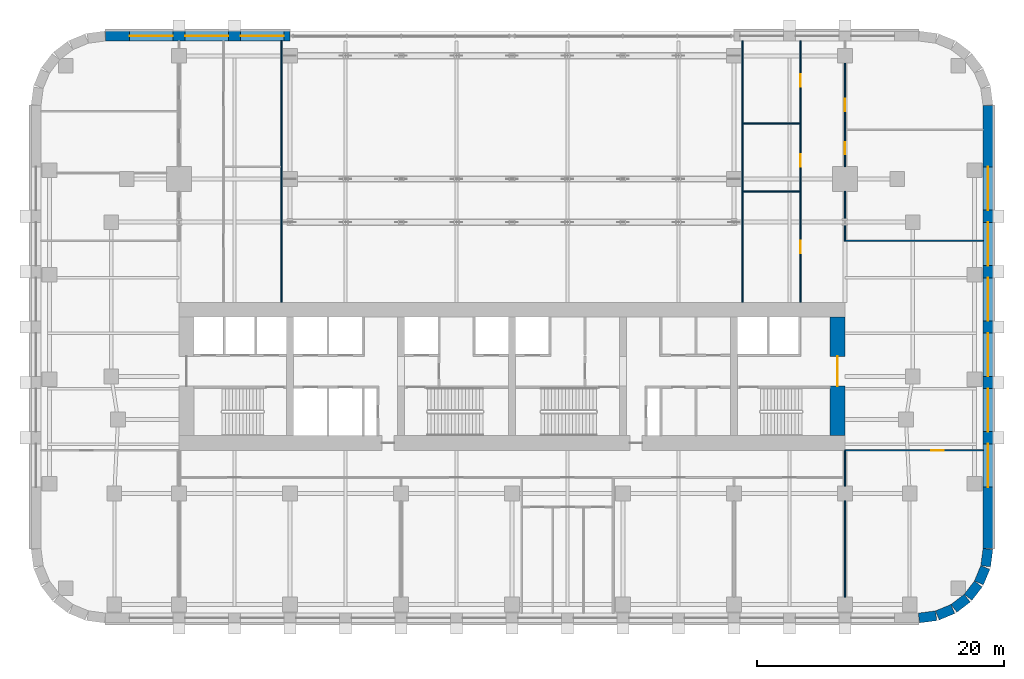
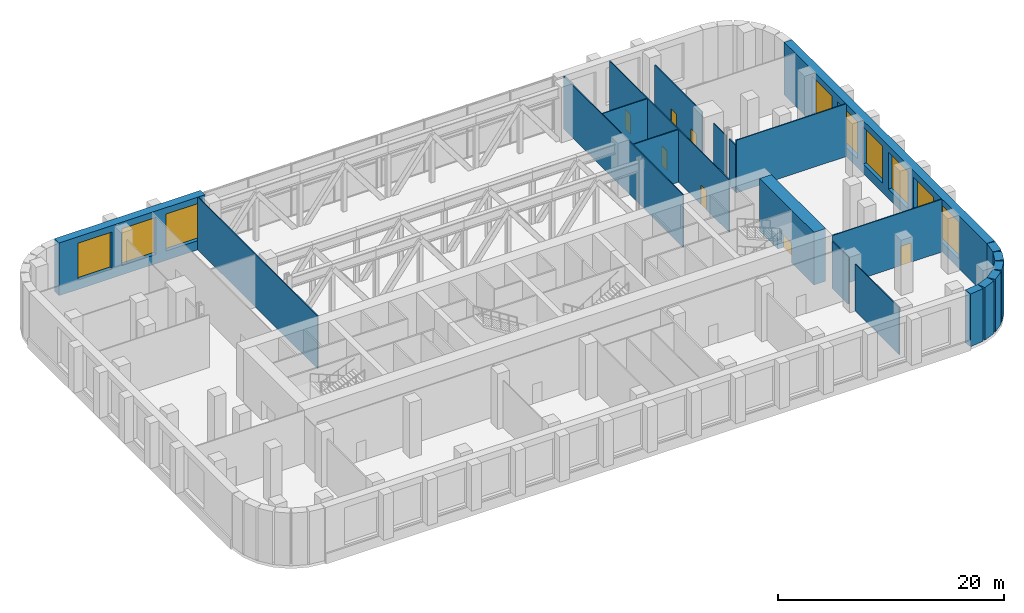
# One storey, part 8 of 13: 21 walls, 9 windows, 7 doors, 16 openings.
"""IFC4 building model written with IfcOpenShell, lengths in metres."""

from ifc_helpers import new_model, si_unit, direction, frame, frame_2d, origin, place, context, subcontext, project, spatial, rectangle, extrude, material, layer, layer_set, type_object, element, fill, save


model = new_model("IFC4")

# Units and contexts
model_context = context("Model", 3, precision=1e-05, world=origin(), true_north=direction((0.0, 1.0)))
body_context = subcontext(model_context, "Body", "Model", "MODEL_VIEW")
ifc_project = project(units=[si_unit("LENGTHUNIT", "METRE"), si_unit("AREAUNIT", "SQUARE_METRE"), si_unit("VOLUMEUNIT", "CUBIC_METRE"), si_unit("PLANEANGLEUNIT", "RADIAN"), si_unit("MASSUNIT", "GRAM", prefix="KILO")], contexts=[model_context])

# Site, building, storey
site_placement = place(None, origin())
site = spatial("IfcSite", under=ifc_project, at=site_placement, CompositionType="ELEMENT")
building_placement = place(site_placement, origin())
building = spatial("IfcBuilding", under=site, at=building_placement, Name="Zellij Exchange Tower", CompositionType="ELEMENT")
storey_placement = place(building_placement, frame((0.0, 0.0, 27.0)))
storey = spatial("IfcBuildingStorey", under=building, at=storey_placement, Name="L04", CompositionType="ELEMENT", Elevation=27.0)

# Wall, opening, door
ifc_material_1 = material(Name="Concrete C70/85", Category="concrete")
ifc_layer_1 = layer(ifc_material_1, 1.199951171875)
ifc_layer_set_1 = layer_set([ifc_layer_1], Name="Concrete C70/85")
wall_type_1 = type_object("IfcWallType", Name="CORE-SW 1200 C70/85", PredefinedType="SHEAR", material=ifc_layer_set_1)
wall_1_placement = place(storey_placement, frame((26.39990234375, -12.800048828125, 0.0), z_axis=(0.0, 0.0, 1.0), x_axis=(0.0, 1.0, 0.0)))
wall_1 = element("IfcWall", 1, at=wall_1_placement, inside=storey, type_object=wall_type_1, Name="Core shear wall end e L04", PredefinedType="SHEAR", context=body_context, shape_type="SweptSolid", body=[
    extrude(rectangle(XDim=9.60009765625, YDim=1.199951171875, at=frame_2d((4.800048828125, 0.0))), origin(), (0.0, 0.0, 1.0), 5.699951171875),
])
opening_1_placement = place(wall_1_placement, frame((4.011962890625, 0.0, 0.0)))
opening_1 = element("IfcOpeningElement", 2, at=opening_1_placement, cuts=wall_1, Name="Opening CA-05.26", PredefinedType="OPENING", context=body_context, shape_type="SweptSolid", body=[
    extrude(rectangle(XDim=2.39990234375, YDim=2.10009765625, at=frame_2d((1.199951171875, 1.050048828125))), frame((0.0, 0.61181640625, 0.0), z_axis=(0.0, -1.0, 0.0), x_axis=(1.0, 0.0, 0.0)), (0.0, 0.0, 1.0), 1.223876953125),
])
ifc_material_2 = material(Name="Hollow metal fire door")
door_type_1 = type_object("IfcDoorType", Name="CORE-D CE Core entrance door 2400x2100 20 MIN", OperationType="NOTDEFINED", PredefinedType="DOOR", material=ifc_material_2)
door_1_placement = place(opening_1_placement, origin())
door_1 = element("IfcDoor", 3, at=door_1_placement, inside=storey, type_object=door_type_1, Name="Core entrance door CA-05.26", OperationType="DOUBLE_DOOR_SINGLE_SWING", OverallHeight=2.10009765625, OverallWidth=2.39990234375, PredefinedType="DOOR", context=body_context, shape_type="SweptSolid", body=[
    extrude(rectangle(XDim=2.39990234375, YDim=2.10009765625, at=frame_2d((1.199951171875, 1.050048828125))), frame((0.0, 0.02490234375, 0.0), z_axis=(0.0, -1.0, 0.0), x_axis=(1.0, 0.0, 0.0)), (0.0, 0.0, 1.0), 0.050048828125),
])
fill(opening_1, door_1)

# Walls
ifc_material_3 = material(Name="Precast concrete C40/50", Category="concrete")
ifc_layer_2 = layer(ifc_material_3, 0.800048828125)
ifc_layer_set_2 = layer_set([ifc_layer_2], Name="Precast concrete C40/50")
wall_type_2 = type_object("IfcWallType", Name="ENV-EW1 Precast stone-piered wall 800", PredefinedType="SOLIDWALL", material=ifc_layer_set_2)
wall_2_placement = place(storey_placement, frame((32.999755859375, -27.5966796875, 0.0), z_axis=(0.0, 0.0, 1.0), x_axis=(0.99144603414, 0.130517283865, 0.0)))
element("IfcWall", 4, at=wall_2_placement, inside=storey, type_object=wall_type_2, Name="fac.L04.01", PredefinedType="SOLIDWALL", context=body_context, shape_type="SweptSolid", body=[
    extrude(rectangle(XDim=1.408447265625, YDim=0.800048828125, at=frame_2d((0.7041015625, 0.0))), origin(), (0.0, 0.0, 1.0), 5.699951171875),
])
wall_3_placement = place(storey_placement, frame((34.497314453125, -27.3857421875, 0.0), z_axis=(0.0, 0.0, 1.0), x_axis=(0.923847774587, 0.38276009378, 0.0)))
element("IfcWall", 5, at=wall_3_placement, inside=storey, type_object=wall_type_2, Name="fac.L04.02", PredefinedType="SOLIDWALL", context=body_context, shape_type="SweptSolid", body=[
    extrude(rectangle(XDim=1.35546875, YDim=0.800048828125, at=frame_2d((0.677734375, 0.0))), origin(), (0.0, 0.0, 1.0), 5.699951171875),
])
for number, where, z_axis, x_axis, name in (
    (6, (35.840087890625, -26.814697265625, 0.0), (0.0, 0.0, 1.0), (0.793272915452, 0.608866226366, 0.0), "fac.L04.03"),
    (7, (36.9892578125, -25.91552734375, 0.0), (0.0, 0.0, 1.0), (0.608866226366, 0.793272915452, 0.0), "fac.L04.04"),
):
    element("IfcWall", number, at=place(storey_placement, frame(where, z_axis=z_axis, x_axis=x_axis)), inside=storey, type_object=wall_type_2, Name=name, PredefinedType="SOLIDWALL", context=body_context, shape_type="SweptSolid", body=[
        extrude(rectangle(XDim=1.355712890625, YDim=0.800048828125, at=frame_2d((0.677734375, 0.0))), origin(), (0.0, 0.0, 1.0), 5.699951171875),
    ])
wall_4_placement = place(storey_placement, frame((37.866943359375, -24.74951171875, 0.0), z_axis=(0.0, 0.0, 1.0), x_axis=(0.38276009378, 0.923847774587, 0.0)))
element("IfcWall", 8, at=wall_4_placement, inside=storey, type_object=wall_type_2, Name="fac.L04.05", PredefinedType="SOLIDWALL", context=body_context, shape_type="SweptSolid", body=[
    extrude(rectangle(XDim=1.35546875, YDim=0.800048828125, at=frame_2d((0.677734375, 0.0))), origin(), (0.0, 0.0, 1.0), 5.699951171875),
])
wall_5_placement = place(storey_placement, frame((38.412841796875, -23.396240234375, 0.0), z_axis=(0.0, 0.0, 1.0), x_axis=(0.130517283865, 0.99144603414, 0.0)))
element("IfcWall", 9, at=wall_5_placement, inside=storey, type_object=wall_type_2, Name="fac.L04.06", PredefinedType="SOLIDWALL", context=body_context, shape_type="SweptSolid", body=[
    extrude(rectangle(XDim=1.408447265625, YDim=0.800048828125, at=frame_2d((0.7041015625, 0.0))), origin(), (0.0, 0.0, 1.0), 5.699951171875),
])

# Wall, openings, windows
wall_6_placement = place(storey_placement, frame((38.60009765625, -21.947509765625, 0.0), z_axis=(0.0, 0.0, 1.0), x_axis=(0.0, 1.0, 0.0)))
wall_6 = element("IfcWall", 10, at=wall_6_placement, inside=storey, type_object=wall_type_2, Name="fac.L04.07", PredefinedType="SOLIDWALL", context=body_context, shape_type="SweptSolid", body=[
    extrude(rectangle(XDim=35.89501953125, YDim=0.800048828125, at=frame_2d((17.947509765625, 0.0))), origin(), (0.0, 0.0, 1.0), 5.699951171875),
])
opening_2_placement = place(wall_6_placement, frame((4.9638671875, 0.0, 1.0)))
opening_2 = element("IfcOpeningElement", 11, at=opening_2_placement, cuts=wall_6, Name="Opening FP.15", PredefinedType="OPENING", context=body_context, shape_type="SweptSolid", body=[
    extrude(rectangle(XDim=3.5, YDim=4.0, at=frame_2d((1.75, 2.0))), frame((0.0, 0.412109375, 0.0), z_axis=(0.0, -1.0, 0.0), x_axis=(1.0, 0.0, 0.0)), (0.0, 0.0, 1.0), 0.823974609375),
])
opening_3_placement = place(wall_6_placement, frame((9.45751953125, 0.0, 1.0)))
opening_3 = element("IfcOpeningElement", 12, at=opening_3_placement, cuts=wall_6, Name="Opening FP.16", PredefinedType="OPENING", context=body_context, shape_type="SweptSolid", body=[
    extrude(rectangle(XDim=3.5, YDim=4.0, at=frame_2d((1.75, 2.0))), frame((0.0, 0.412109375, 0.0), z_axis=(0.0, -1.0, 0.0), x_axis=(1.0, 0.0, 0.0)), (0.0, 0.0, 1.0), 0.823974609375),
])
opening_4_placement = place(wall_6_placement, frame((13.950927734375, 0.0, 1.0)))
opening_4 = element("IfcOpeningElement", 13, at=opening_4_placement, cuts=wall_6, Name="Opening FP.17", PredefinedType="OPENING", context=body_context, shape_type="SweptSolid", body=[
    extrude(rectangle(XDim=3.5, YDim=4.0, at=frame_2d((1.75, 2.0))), frame((0.0, 0.412109375, 0.0), z_axis=(0.0, -1.0, 0.0), x_axis=(1.0, 0.0, 0.0)), (0.0, 0.0, 1.0), 0.823974609375),
])
opening_5_placement = place(wall_6_placement, frame((18.4443359375, 0.0, 1.0)))
opening_5 = element("IfcOpeningElement", 14, at=opening_5_placement, cuts=wall_6, Name="Opening FP.18", PredefinedType="OPENING", context=body_context, shape_type="SweptSolid", body=[
    extrude(rectangle(XDim=3.5, YDim=4.0, at=frame_2d((1.75, 2.0))), frame((0.0, 0.412109375, 0.0), z_axis=(0.0, -1.0, 0.0), x_axis=(1.0, 0.0, 0.0)), (0.0, 0.0, 1.0), 0.823974609375),
])
opening_6_placement = place(wall_6_placement, frame((22.937744140625, 0.0, 1.0)))
opening_6 = element("IfcOpeningElement", 15, at=opening_6_placement, cuts=wall_6, Name="Opening FP.19", PredefinedType="OPENING", context=body_context, shape_type="SweptSolid", body=[
    extrude(rectangle(XDim=3.5, YDim=4.0, at=frame_2d((1.75, 2.0))), frame((0.0, 0.412109375, 0.0), z_axis=(0.0, -1.0, 0.0), x_axis=(1.0, 0.0, 0.0)), (0.0, 0.0, 1.0), 0.823974609375),
])
opening_7_placement = place(wall_6_placement, frame((27.43115234375, 0.0, 1.0)))
opening_7 = element("IfcOpeningElement", 16, at=opening_7_placement, cuts=wall_6, Name="Opening FP.20", PredefinedType="OPENING", context=body_context, shape_type="SweptSolid", body=[
    extrude(rectangle(XDim=3.5, YDim=4.0, at=frame_2d((1.75, 2.0))), frame((0.0, 0.412109375, 0.0), z_axis=(0.0, -1.0, 0.0), x_axis=(1.0, 0.0, 0.0)), (0.0, 0.0, 1.0), 0.823974609375),
])
ifc_material_4 = material(Name="Aluminium frame with insulating glass", Category="aluminium")
window_type = type_object("IfcWindowType", Name="ENV-W2 Window 3500x4000", PartitioningType="SINGLE_PANEL", PredefinedType="WINDOW", material=ifc_material_4)
window_1_placement = place(opening_2_placement, origin())
window_1 = element("IfcWindow", 17, at=window_1_placement, inside=storey, type_object=window_type, Name="Window FP.15", OverallHeight=4.0, OverallWidth=3.5, PartitioningType="SINGLE_PANEL", PredefinedType="WINDOW", context=body_context, shape_type="SweptSolid", body=[
    extrude(rectangle(XDim=3.5, YDim=4.0, at=frame_2d((1.75, 2.0))), frame((0.0, 0.030029296875, 0.0), z_axis=(0.0, -1.0, 0.0), x_axis=(1.0, 0.0, 0.0)), (0.0, 0.0, 1.0), 0.06005859375),
])
fill(opening_2, window_1)
window_2_placement = place(opening_3_placement, origin())
window_2 = element("IfcWindow", 18, at=window_2_placement, inside=storey, type_object=window_type, Name="Window FP.16", OverallHeight=4.0, OverallWidth=3.5, PartitioningType="SINGLE_PANEL", PredefinedType="WINDOW", context=body_context, shape_type="SweptSolid", body=[
    extrude(rectangle(XDim=3.5, YDim=4.0, at=frame_2d((1.75, 2.0))), frame((0.0, 0.030029296875, 0.0), z_axis=(0.0, -1.0, 0.0), x_axis=(1.0, 0.0, 0.0)), (0.0, 0.0, 1.0), 0.06005859375),
])
fill(opening_3, window_2)
window_3_placement = place(opening_4_placement, origin())
window_3 = element("IfcWindow", 19, at=window_3_placement, inside=storey, type_object=window_type, Name="Window FP.17", OverallHeight=4.0, OverallWidth=3.5, PartitioningType="SINGLE_PANEL", PredefinedType="WINDOW", context=body_context, shape_type="SweptSolid", body=[
    extrude(rectangle(XDim=3.5, YDim=4.0, at=frame_2d((1.75, 2.0))), frame((0.0, 0.030029296875, 0.0), z_axis=(0.0, -1.0, 0.0), x_axis=(1.0, 0.0, 0.0)), (0.0, 0.0, 1.0), 0.06005859375),
])
fill(opening_4, window_3)
window_4_placement = place(opening_5_placement, origin())
window_4 = element("IfcWindow", 20, at=window_4_placement, inside=storey, type_object=window_type, Name="Window FP.18", OverallHeight=4.0, OverallWidth=3.5, PartitioningType="SINGLE_PANEL", PredefinedType="WINDOW", context=body_context, shape_type="SweptSolid", body=[
    extrude(rectangle(XDim=3.5, YDim=4.0, at=frame_2d((1.75, 2.0))), frame((0.0, 0.030029296875, 0.0), z_axis=(0.0, -1.0, 0.0), x_axis=(1.0, 0.0, 0.0)), (0.0, 0.0, 1.0), 0.06005859375),
])
fill(opening_5, window_4)
window_5_placement = place(opening_6_placement, origin())
window_5 = element("IfcWindow", 21, at=window_5_placement, inside=storey, type_object=window_type, Name="Window FP.19", OverallHeight=4.0, OverallWidth=3.5, PartitioningType="SINGLE_PANEL", PredefinedType="WINDOW", context=body_context, shape_type="SweptSolid", body=[
    extrude(rectangle(XDim=3.5, YDim=4.0, at=frame_2d((1.75, 2.0))), frame((0.0, 0.030029296875, 0.0), z_axis=(0.0, -1.0, 0.0), x_axis=(1.0, 0.0, 0.0)), (0.0, 0.0, 1.0), 0.06005859375),
])
fill(opening_6, window_5)
window_6_placement = place(opening_7_placement, origin())
window_6 = element("IfcWindow", 22, at=window_6_placement, inside=storey, type_object=window_type, Name="Window FP.20", OverallHeight=4.0, OverallWidth=3.5, PartitioningType="SINGLE_PANEL", PredefinedType="WINDOW", context=body_context, shape_type="SweptSolid", body=[
    extrude(rectangle(XDim=3.5, YDim=4.0, at=frame_2d((1.75, 2.0))), frame((0.0, 0.030029296875, 0.0), z_axis=(0.0, -1.0, 0.0), x_axis=(1.0, 0.0, 0.0)), (0.0, 0.0, 1.0), 0.06005859375),
])
fill(opening_7, window_6)

wall_7_placement = place(storey_placement, frame((-18.0, 19.60009765625, 0.0), z_axis=(0.0, 0.0, 1.0), x_axis=(-1.0, 0.0, 0.0)))
wall_7 = element("IfcWall", 23, at=wall_7_placement, inside=storey, type_object=wall_type_2, Name="fac.L04.14d", PredefinedType="SOLIDWALL", context=body_context, shape_type="SweptSolid", body=[
    extrude(rectangle(XDim=14.947509765625, YDim=0.800048828125, at=frame_2d((7.4736328125, 0.0))), origin(), (0.0, 0.0, 1.0), 5.699951171875),
])
opening_8_placement = place(wall_7_placement, frame((0.5, 0.0, 1.0)))
opening_8 = element("IfcOpeningElement", 24, at=opening_8_placement, cuts=wall_7, Name="Opening FP.21", PredefinedType="OPENING", context=body_context, shape_type="SweptSolid", body=[
    extrude(rectangle(XDim=3.5, YDim=4.0, at=frame_2d((1.75, 2.0))), frame((0.0, 0.412109375, 0.0), z_axis=(0.0, -1.0, 0.0), x_axis=(1.0, 0.0, 0.0)), (0.0, 0.0, 1.0), 0.823974609375),
])
opening_9_placement = place(wall_7_placement, frame((5.0, 0.0, 1.0)))
opening_9 = element("IfcOpeningElement", 25, at=opening_9_placement, cuts=wall_7, Name="Opening FP.23", PredefinedType="OPENING", context=body_context, shape_type="SweptSolid", body=[
    extrude(rectangle(XDim=3.5, YDim=4.0, at=frame_2d((1.75, 2.0))), frame((0.0, 0.412109375, 0.0), z_axis=(0.0, -1.0, 0.0), x_axis=(1.0, 0.0, 0.0)), (0.0, 0.0, 1.0), 0.823974609375),
])
opening_10_placement = place(wall_7_placement, frame((9.5, 0.0, 1.0)))
opening_10 = element("IfcOpeningElement", 26, at=opening_10_placement, cuts=wall_7, Name="Opening FP.25", PredefinedType="OPENING", context=body_context, shape_type="SweptSolid", body=[
    extrude(rectangle(XDim=3.5, YDim=4.0, at=frame_2d((1.75, 2.0))), frame((0.0, 0.412109375, 0.0), z_axis=(0.0, -1.0, 0.0), x_axis=(1.0, 0.0, 0.0)), (0.0, 0.0, 1.0), 0.823974609375),
])
window_7_placement = place(opening_8_placement, origin())
window_7 = element("IfcWindow", 27, at=window_7_placement, inside=storey, type_object=window_type, Name="Window FP.21", OverallHeight=4.0, OverallWidth=3.5, PartitioningType="SINGLE_PANEL", PredefinedType="WINDOW", context=body_context, shape_type="SweptSolid", body=[
    extrude(rectangle(XDim=3.5, YDim=4.0, at=frame_2d((1.75, 2.0))), frame((0.0, 0.030029296875, 0.0), z_axis=(0.0, -1.0, 0.0), x_axis=(1.0, 0.0, 0.0)), (0.0, 0.0, 1.0), 0.06005859375),
])
fill(opening_8, window_7)
window_8_placement = place(opening_9_placement, origin())
window_8 = element("IfcWindow", 28, at=window_8_placement, inside=storey, type_object=window_type, Name="Window FP.23", OverallHeight=4.0, OverallWidth=3.5, PartitioningType="SINGLE_PANEL", PredefinedType="WINDOW", context=body_context, shape_type="SweptSolid", body=[
    extrude(rectangle(XDim=3.5, YDim=4.0, at=frame_2d((1.75, 2.0))), frame((0.0, 0.030029296875, 0.0), z_axis=(0.0, -1.0, 0.0), x_axis=(1.0, 0.0, 0.0)), (0.0, 0.0, 1.0), 0.06005859375),
])
fill(opening_9, window_8)
window_9_placement = place(opening_10_placement, origin())
window_9 = element("IfcWindow", 29, at=window_9_placement, inside=storey, type_object=window_type, Name="Window FP.25", OverallHeight=4.0, OverallWidth=3.5, PartitioningType="SINGLE_PANEL", PredefinedType="WINDOW", context=body_context, shape_type="SweptSolid", body=[
    extrude(rectangle(XDim=3.5, YDim=4.0, at=frame_2d((1.75, 2.0))), frame((0.0, 0.030029296875, 0.0), z_axis=(0.0, -1.0, 0.0), x_axis=(1.0, 0.0, 0.0)), (0.0, 0.0, 1.0), 0.06005859375),
])
fill(opening_10, window_9)

# Walls
ifc_material_5 = material(Name="Gypsum board partition on steel studs", Category="steel")
ifc_layer_3 = layer(ifc_material_5, 0.10009765625)
ifc_layer_set_3 = layer_set([ifc_layer_3], Name="Gypsum board partition on steel studs")
wall_type_3 = type_object("IfcWallType", Name="FIT-PARTITION-100", PredefinedType="PARTITIONING", material=ifc_layer_set_3)
wall_8_placement = place(storey_placement, frame((27.0, -25.89990234375, 0.0), z_axis=(0.0, 0.0, 1.0), x_axis=(0.0, 1.0, 0.0)))
element("IfcWall", 30, at=wall_8_placement, inside=storey, type_object=wall_type_3, Name="FIT-PARTITION-100 011", PredefinedType="PARTITIONING", context=body_context, shape_type="SweptSolid", body=[
    extrude(rectangle(XDim=7.7998046875, YDim=0.10009765625, at=frame_2d((3.89990234375, 0.0))), origin(), (0.0, 0.0, 1.0), 5.087890625),
])
wall_9_placement = place(storey_placement, frame((27.0, -16.89990234375, 0.0), z_axis=(0.0, 0.0, 1.0), x_axis=(0.0, 1.0, 0.0)))
element("IfcWall", 31, at=wall_9_placement, inside=storey, type_object=wall_type_3, Name="FIT-PARTITION-100 012", PredefinedType="PARTITIONING", context=body_context, shape_type="SweptSolid", body=[
    extrude(rectangle(XDim=2.849853515625, YDim=0.10009765625, at=frame_2d((1.4248046875, 0.0))), origin(), (0.0, 0.0, 1.0), 5.087890625),
])

# Wall, opening, door
wall_10_placement = place(storey_placement, frame((27.0, -14.0, 0.0), z_axis=(0.0, 0.0, 1.0), x_axis=(1.0, 0.0, 0.0)))
wall_10 = element("IfcWall", 32, at=wall_10_placement, inside=storey, type_object=wall_type_3, Name="FIT-PARTITION-100 018", PredefinedType="PARTITIONING", context=body_context, shape_type="SweptSolid", body=[
    extrude(rectangle(XDim=11.199951171875, YDim=0.10009765625, at=frame_2d((5.60009765625, 0.0))), origin(), (0.0, 0.0, 1.0), 5.699951171875),
])
opening_11_placement = place(wall_10_placement, frame((7.0, 0.0, 0.0)))
opening_11 = element("IfcOpeningElement", 33, at=opening_11_placement, cuts=wall_10, Name="Opening P4.10", PredefinedType="OPENING", context=body_context, shape_type="SweptSolid", body=[
    extrude(rectangle(XDim=1.0, YDim=2.10009765625, at=frame_2d((0.5, 1.050048828125))), frame((0.0, 0.06201171875, 0.0), z_axis=(0.0, -1.0, 0.0), x_axis=(1.0, 0.0, 0.0)), (0.0, 0.0, 1.0), 0.1240234375),
])
ifc_material_6 = material(Name="Timber door set", Category="wood")
door_type_2 = type_object("IfcDoorType", Name="FIT-D2-WIDE-1000X2100", OperationType="SINGLE_SWING_LEFT", PredefinedType="DOOR", material=ifc_material_6)
door_2_placement = place(opening_11_placement, origin())
door_2 = element("IfcDoor", 34, at=door_2_placement, inside=storey, type_object=door_type_2, Name="Door P4.10", OperationType="SINGLE_SWING_LEFT", OverallHeight=2.10009765625, OverallWidth=1.0, PredefinedType="DOOR", context=body_context, shape_type="SweptSolid", body=[
    extrude(rectangle(XDim=1.0, YDim=2.10009765625, at=frame_2d((0.5, 1.050048828125))), frame((0.0, 0.02490234375, 0.0), z_axis=(0.0, -1.0, 0.0), x_axis=(1.0, 0.0, 0.0)), (0.0, 0.0, 1.0), 0.050048828125),
])
fill(opening_11, door_2)

# Walls
for number, where, z_axis, x_axis, name in (
    (35, (-18.699951171875, -2.0, 0.0), (0.0, 0.0, 1.0), (0.0, 1.0, 0.0), "FIT-PARTITION-100 020"),
    (36, (18.699951171875, -2.0, 0.0), (0.0, 0.0, 1.0), (0.0, 1.0, 0.0), "FIT-PARTITION-100 021"),
):
    element("IfcWall", number, at=place(storey_placement, frame(where, z_axis=z_axis, x_axis=x_axis)), inside=storey, type_object=wall_type_3, Name=name, PredefinedType="PARTITIONING", context=body_context, shape_type="SweptSolid", body=[
        extrude(rectangle(XDim=21.199951171875, YDim=0.10009765625, at=frame_2d((10.60009765625, 0.0))), origin(), (0.0, 0.0, 1.0), 5.699951171875),
    ])

# Wall, openings, doors
wall_11_placement = place(storey_placement, frame((23.39990234375, -2.0, 0.0), z_axis=(0.0, 0.0, 1.0), x_axis=(0.0, 1.0, 0.0)))
wall_11 = element("IfcWall", 37, at=wall_11_placement, inside=storey, type_object=wall_type_3, Name="FIT-PARTITION-100 022", PredefinedType="PARTITIONING", context=body_context, shape_type="SweptSolid", body=[
    extrude(rectangle(XDim=21.199951171875, YDim=0.10009765625, at=frame_2d((10.60009765625, 0.0))), origin(), (0.0, 0.0, 1.0), 5.699951171875),
])
opening_12_placement = place(wall_11_placement, frame((4.0, 0.0, 0.0)))
opening_12 = element("IfcOpeningElement", 38, at=opening_12_placement, cuts=wall_11, Name="Opening P4.11", PredefinedType="OPENING", context=body_context, shape_type="SweptSolid", body=[
    extrude(rectangle(XDim=1.0, YDim=2.10009765625, at=frame_2d((0.5, 1.050048828125))), frame((0.0, 0.06201171875, 0.0), z_axis=(0.0, -1.0, 0.0), x_axis=(1.0, 0.0, 0.0)), (0.0, 0.0, 1.0), 0.1240234375),
])
opening_13_placement = place(wall_11_placement, frame((11.0, 0.0, 0.0)))
opening_13 = element("IfcOpeningElement", 39, at=opening_13_placement, cuts=wall_11, Name="Opening P4.14", PredefinedType="OPENING", context=body_context, shape_type="SweptSolid", body=[
    extrude(rectangle(XDim=1.0, YDim=2.10009765625, at=frame_2d((0.5, 1.050048828125))), frame((0.0, 0.06201171875, 0.0), z_axis=(0.0, -1.0, 0.0), x_axis=(1.0, 0.0, 0.0)), (0.0, 0.0, 1.0), 0.1240234375),
])
opening_14_placement = place(wall_11_placement, frame((17.5, 0.0, 0.0)))
opening_14 = element("IfcOpeningElement", 40, at=opening_14_placement, cuts=wall_11, Name="Opening P4.20", PredefinedType="OPENING", context=body_context, shape_type="SweptSolid", body=[
    extrude(rectangle(XDim=1.0, YDim=2.10009765625, at=frame_2d((0.5, 1.050048828125))), frame((0.0, 0.06201171875, 0.0), z_axis=(0.0, -1.0, 0.0), x_axis=(1.0, 0.0, 0.0)), (0.0, 0.0, 1.0), 0.1240234375),
])
door_3_placement = place(opening_12_placement, origin())
door_3 = element("IfcDoor", 41, at=door_3_placement, inside=storey, type_object=door_type_2, Name="Door P4.11", OperationType="SINGLE_SWING_LEFT", OverallHeight=2.10009765625, OverallWidth=1.0, PredefinedType="DOOR", context=body_context, shape_type="SweptSolid", body=[
    extrude(rectangle(XDim=1.0, YDim=2.10009765625, at=frame_2d((0.5, 1.050048828125))), frame((0.0, 0.02490234375, 0.0), z_axis=(0.0, -1.0, 0.0), x_axis=(1.0, 0.0, 0.0)), (0.0, 0.0, 1.0), 0.050048828125),
])
fill(opening_12, door_3)
door_4_placement = place(opening_13_placement, origin())
door_4 = element("IfcDoor", 42, at=door_4_placement, inside=storey, type_object=door_type_2, Name="Door P4.14", OperationType="SINGLE_SWING_LEFT", OverallHeight=2.10009765625, OverallWidth=1.0, PredefinedType="DOOR", context=body_context, shape_type="SweptSolid", body=[
    extrude(rectangle(XDim=1.0, YDim=2.10009765625, at=frame_2d((0.5, 1.050048828125))), frame((0.0, 0.02490234375, 0.0), z_axis=(0.0, -1.0, 0.0), x_axis=(1.0, 0.0, 0.0)), (0.0, 0.0, 1.0), 0.050048828125),
])
fill(opening_13, door_4)
door_5_placement = place(opening_14_placement, origin())
door_5 = element("IfcDoor", 43, at=door_5_placement, inside=storey, type_object=door_type_2, Name="Door P4.20", OperationType="SINGLE_SWING_RIGHT", OverallHeight=2.10009765625, OverallWidth=1.0, PredefinedType="DOOR", context=body_context, shape_type="SweptSolid", body=[
    extrude(rectangle(XDim=1.0, YDim=2.10009765625, at=frame_2d((0.5, 1.050048828125))), frame((0.0, 0.02490234375, 0.0), z_axis=(0.0, -1.0, 0.0), x_axis=(1.0, 0.0, 0.0)), (0.0, 0.0, 1.0), 0.050048828125),
])
fill(opening_14, door_5)

# Walls
wall_12_placement = place(storey_placement, frame((26.949951171875, 3.0, 0.0), z_axis=(0.0, 0.0, 1.0), x_axis=(1.0, 0.0, 0.0)))
element("IfcWall", 44, at=wall_12_placement, inside=storey, type_object=wall_type_3, Name="FIT-PARTITION-100 028", PredefinedType="PARTITIONING", context=body_context, shape_type="SweptSolid", body=[
    extrude(rectangle(XDim=11.25, YDim=0.10009765625, at=frame_2d((5.625, 0.0))), origin(), (0.0, 0.0, 1.0), 5.699951171875),
])
wall_13_placement = place(storey_placement, frame((27.0, 3.050048828125, 0.0), z_axis=(0.0, 0.0, 1.0), x_axis=(0.0, 1.0, 0.0)))
element("IfcWall", 45, at=wall_13_placement, inside=storey, type_object=wall_type_3, Name="FIT-PARTITION-100 029", PredefinedType="PARTITIONING", context=body_context, shape_type="SweptSolid", body=[
    extrude(rectangle(XDim=1.16552734375, YDim=0.10009765625, at=frame_2d((0.582763671875, 0.0))), origin(), (0.0, 0.0, 1.0), 5.087890625),
])
wall_14_placement = place(storey_placement, frame((27.0, 4.784423828125, 0.0), z_axis=(0.0, 0.0, 1.0), x_axis=(0.0, 1.0, 0.0)))
element("IfcWall", 46, at=wall_14_placement, inside=storey, type_object=wall_type_3, Name="FIT-PARTITION-100 030", PredefinedType="PARTITIONING", context=body_context, shape_type="SweptSolid", body=[
    extrude(rectangle(XDim=2.215576171875, YDim=0.10009765625, at=frame_2d((1.10791015625, 0.0))), origin(), (0.0, 0.0, 1.0), 5.087890625),
])

# Wall, openings, doors
wall_15_placement = place(storey_placement, frame((27.0, 9.0, 0.0), z_axis=(0.0, 0.0, 1.0), x_axis=(0.0, 1.0, 0.0)))
wall_15 = element("IfcWall", 47, at=wall_15_placement, inside=storey, type_object=wall_type_3, Name="FIT-PARTITION-100 031", PredefinedType="PARTITIONING", context=body_context, shape_type="SweptSolid", body=[
    extrude(rectangle(XDim=8.39990234375, YDim=0.10009765625, at=frame_2d((4.199951171875, 0.0))), origin(), (0.0, 0.0, 1.0), 5.087890625),
])
opening_15_placement = place(wall_15_placement, frame((1.0, 0.0, 0.0)))
opening_15 = element("IfcOpeningElement", 48, at=opening_15_placement, cuts=wall_15, Name="Opening P4.15", PredefinedType="OPENING", context=body_context, shape_type="SweptSolid", body=[
    extrude(rectangle(XDim=1.0, YDim=2.10009765625, at=frame_2d((0.5, 1.050048828125))), frame((0.0, 0.06201171875, 0.0), z_axis=(0.0, -1.0, 0.0), x_axis=(1.0, 0.0, 0.0)), (0.0, 0.0, 1.0), 0.1240234375),
])
opening_16_placement = place(wall_15_placement, frame((4.5, 0.0, 0.0)))
opening_16 = element("IfcOpeningElement", 49, at=opening_16_placement, cuts=wall_15, Name="Opening P4.17", PredefinedType="OPENING", context=body_context, shape_type="SweptSolid", body=[
    extrude(rectangle(XDim=1.0, YDim=2.10009765625, at=frame_2d((0.5, 1.050048828125))), frame((0.0, 0.06201171875, 0.0), z_axis=(0.0, -1.0, 0.0), x_axis=(1.0, 0.0, 0.0)), (0.0, 0.0, 1.0), 0.1240234375),
])
door_6_placement = place(opening_15_placement, origin())
door_6 = element("IfcDoor", 50, at=door_6_placement, inside=storey, type_object=door_type_2, Name="Door P4.15", OperationType="SINGLE_SWING_LEFT", OverallHeight=2.10009765625, OverallWidth=1.0, PredefinedType="DOOR", context=body_context, shape_type="SweptSolid", body=[
    extrude(rectangle(XDim=1.0, YDim=2.10009765625, at=frame_2d((0.5, 1.050048828125))), frame((0.0, 0.02490234375, 0.0), z_axis=(0.0, -1.0, 0.0), x_axis=(1.0, 0.0, 0.0)), (0.0, 0.0, 1.0), 0.050048828125),
])
fill(opening_15, door_6)
door_7_placement = place(opening_16_placement, origin())
door_7 = element("IfcDoor", 51, at=door_7_placement, inside=storey, type_object=door_type_2, Name="Door P4.17", OperationType="SINGLE_SWING_RIGHT", OverallHeight=2.10009765625, OverallWidth=1.0, PredefinedType="DOOR", context=body_context, shape_type="SweptSolid", body=[
    extrude(rectangle(XDim=1.0, YDim=2.10009765625, at=frame_2d((0.5, 1.050048828125))), frame((0.0, 0.02490234375, 0.0), z_axis=(0.0, -1.0, 0.0), x_axis=(1.0, 0.0, 0.0)), (0.0, 0.0, 1.0), 0.050048828125),
])
fill(opening_16, door_7)

# Walls
for number, where, z_axis, x_axis, name in (
    (52, (18.75, 7.0, 0.0), (0.0, 0.0, 1.0), (1.0, 0.0, 0.0), "FIT-PARTITION-100 033"),
    (53, (18.75, 12.5, 0.0), (0.0, 0.0, 1.0), (1.0, 0.0, 0.0), "FIT-PARTITION-100 038"),
):
    element("IfcWall", number, at=place(storey_placement, frame(where, z_axis=z_axis, x_axis=x_axis)), inside=storey, type_object=wall_type_3, Name=name, PredefinedType="PARTITIONING", context=body_context, shape_type="SweptSolid", body=[
        extrude(rectangle(XDim=4.60009765625, YDim=0.10009765625, at=frame_2d((2.300048828125, 0.0))), origin(), (0.0, 0.0, 1.0), 5.699951171875),
    ])

save(model, "model.ifc")
